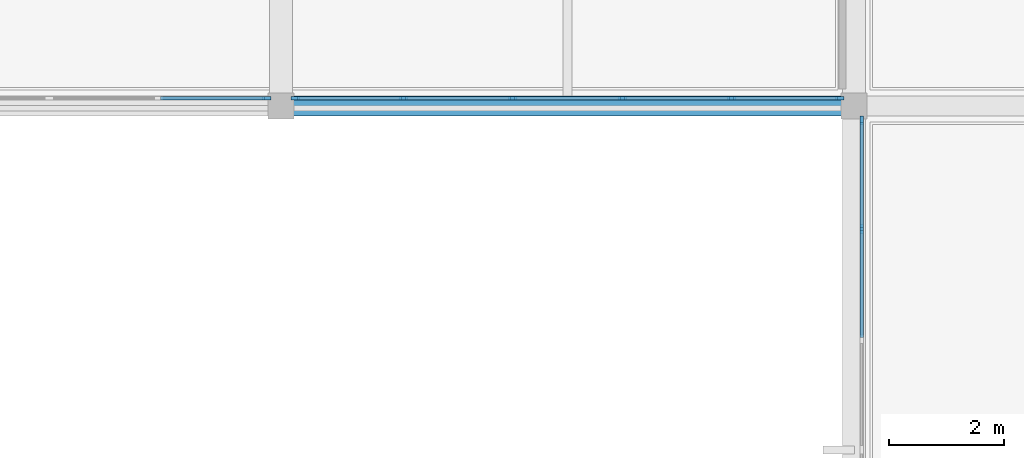
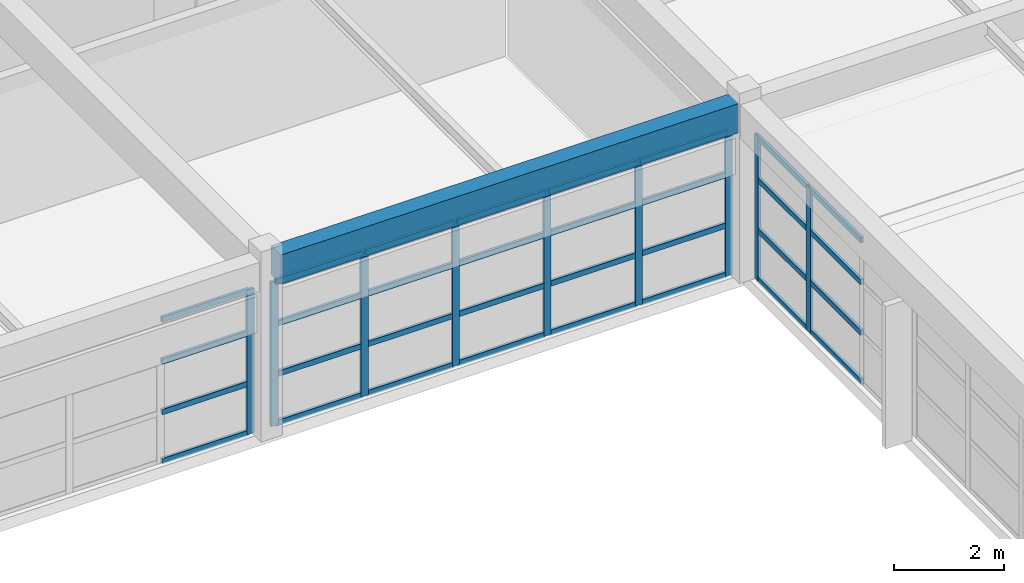
# One storey, part 7 of 21: 41 members, 1 beam, 3 elements without a shape of their own.
"""IFC4 building model written with IfcOpenShell, lengths in metres."""

from ifc_helpers import new_model, si_unit, direction, frame, origin, origin_2d, place, context, subcontext, project, spatial, rectangle, extrude, material, layer, layer_set, material_profile, profile_set, type_object, element, aggregate, save


model = new_model("IFC4")

# Units and contexts
model_context = context("Model", 3, precision=1e-05, world=origin(), true_north=direction((0.0, 1.0)))
body_context = subcontext(model_context, "Body", "Model", "MODEL_VIEW")
ifc_project = project(units=[si_unit("LENGTHUNIT", "METRE"), si_unit("AREAUNIT", "SQUARE_METRE"), si_unit("VOLUMEUNIT", "CUBIC_METRE"), si_unit("PLANEANGLEUNIT", "RADIAN"), si_unit("MASSUNIT", "GRAM", prefix="KILO")], contexts=[model_context])

# Site, building, storey
site_placement = place(None, origin())
site = spatial("IfcSite", under=ifc_project, at=site_placement, CompositionType="ELEMENT")
building_placement = place(site_placement, origin())
building = spatial("IfcBuilding", under=site, at=building_placement, Name="Kivolera Central Railway Station", CompositionType="ELEMENT")
storey_placement = place(building_placement, frame((0.0, 0.0, 22.800048828125)))
storey = spatial("IfcBuildingStorey", under=building, at=storey_placement, Name="L05", CompositionType="ELEMENT", Elevation=22.800048828125)

# Beam
ifc_material_1 = material(Name="Concrete C40/50", Category="concrete")
ifc_material_profile_1 = material_profile(ifc_material_1, rectangle(XDim=0.35009765625, YDim=0.64990234375, at=origin_2d()), Name="RC 350x650")
ifc_profile_set_1 = profile_set([ifc_material_profile_1], Name="Concrete C40/50")
beam_type = type_object("IfcBeamType", Name="BM-RC-350x650", PredefinedType="BEAM", material=ifc_profile_set_1)
beam_placement = place(storey_placement, frame((168.217041015625, 114.0, 3.625), z_axis=(1.0, 0.0, 0.0), x_axis=(0.0, 1.0, 0.0)))
element("IfcBeam", 1, at=beam_placement, inside=storey, type_object=beam_type, Name="L05 Wing X-Beam K:17-18", PredefinedType="BEAM", context=body_context, shape_type="SweptSolid", body=[
    extrude(rectangle(XDim=0.35009765625, YDim=0.64990234375, at=origin_2d()), origin(), (0.0, 0.0, 1.0), 9.56591796875),
])

# Curtain wall, member
ifc_material_2 = material(Name="Anodised aluminium", Category="aluminium")
ifc_layer_1 = layer(ifc_material_2, 0.179931640625, Name="Anodised aluminium")
ifc_layer_set_1 = layer_set([ifc_layer_1], Name="Anodised aluminium")
curtain_wall_type_1 = type_object("IfcCurtainWallType", Name="CW-SYS-34", PredefinedType="NOTDEFINED", material=ifc_layer_set_1)
curtain_wall_1_placement = place(storey_placement, origin())
curtain_wall_1 = element("IfcCurtainWall", 2, at=curtain_wall_1_placement, inside=storey, type_object=curtain_wall_type_1, Name="L05 Curtain Wall CW-L05-CRTN-158", PredefinedType="NOTDEFINED")
ifc_material_profile_2 = material_profile(ifc_material_2, rectangle(XDim=0.06005859375, YDim=0.14990234375, at=origin_2d()), Name="ALU MULL 60x150")
ifc_profile_set_2 = profile_set([ifc_material_profile_2], Name="Anodised aluminium")
member_type_1 = type_object("IfcMemberType", Name="CWM-MUL-2", PredefinedType="MULLION", material=ifc_profile_set_2)
member_1_placement = place(storey_placement, frame((167.75, 114.135009765625, -0.005126953125), z_axis=(0.0, 0.0, 1.0), x_axis=(0.0, -1.0, 0.0)))
member_1 = element("IfcMember", 3, at=member_1_placement, type_object=member_type_1, Name="CW-34 mullion 1", PredefinedType="MULLION", context=body_context, shape_type="SweptSolid", body=[
    extrude(rectangle(XDim=0.06005859375, YDim=0.14990234375, at=origin_2d()), origin(), (0.0, 0.0, 1.0), 3.193115234375),
])

# Curtain wall, members
curtain_wall_2_placement = place(storey_placement, origin())
curtain_wall_2 = element("IfcCurtainWall", 4, at=curtain_wall_2_placement, inside=storey, type_object=curtain_wall_type_1, Name="L05 Curtain Wall CW-L05-CRTN-168", PredefinedType="NOTDEFINED")
member_2_placement = place(storey_placement, frame((177.75, 114.135009765625, -0.005126953125), z_axis=(0.0, 0.0, 1.0), x_axis=(0.0, -1.0, 0.0)))
member_2 = element("IfcMember", 5, at=member_2_placement, type_object=member_type_1, Name="CW-34 mullion 1", PredefinedType="MULLION", context=body_context, shape_type="SweptSolid", body=[
    extrude(rectangle(XDim=0.06005859375, YDim=0.14990234375, at=origin_2d()), origin(), (0.0, 0.0, 1.0), 3.193115234375),
])
member_3_placement = place(storey_placement, frame((175.867919921875, 114.135009765625, -0.005126953125), z_axis=(0.0, 0.0, 1.0), x_axis=(0.0, -1.0, 0.0)))
member_3 = element("IfcMember", 6, at=member_3_placement, type_object=member_type_1, Name="CW-34 mullion 2", PredefinedType="MULLION", context=body_context, shape_type="SweptSolid", body=[
    extrude(rectangle(XDim=0.06005859375, YDim=0.14990234375, at=origin_2d()), origin(), (0.0, 0.0, 1.0), 3.193115234375),
])
member_4_placement = place(storey_placement, frame((173.9560546875, 114.135009765625, -0.005126953125), z_axis=(0.0, 0.0, 1.0), x_axis=(0.0, -1.0, 0.0)))
member_4 = element("IfcMember", 7, at=member_4_placement, type_object=member_type_1, Name="CW-34 mullion 3", PredefinedType="MULLION", context=body_context, shape_type="SweptSolid", body=[
    extrude(rectangle(XDim=0.06005859375, YDim=0.14990234375, at=origin_2d()), origin(), (0.0, 0.0, 1.0), 3.193115234375),
])
member_5_placement = place(storey_placement, frame((172.0439453125, 114.135009765625, -0.005126953125), z_axis=(0.0, 0.0, 1.0), x_axis=(0.0, -1.0, 0.0)))
member_5 = element("IfcMember", 8, at=member_5_placement, type_object=member_type_1, Name="CW-34 mullion 4", PredefinedType="MULLION", context=body_context, shape_type="SweptSolid", body=[
    extrude(rectangle(XDim=0.06005859375, YDim=0.14990234375, at=origin_2d()), origin(), (0.0, 0.0, 1.0), 3.193115234375),
])
member_6_placement = place(storey_placement, frame((170.132080078125, 114.135009765625, -0.005126953125), z_axis=(0.0, 0.0, 1.0), x_axis=(0.0, -1.0, 0.0)))
member_6 = element("IfcMember", 9, at=member_6_placement, type_object=member_type_1, Name="CW-34 mullion 5", PredefinedType="MULLION", context=body_context, shape_type="SweptSolid", body=[
    extrude(rectangle(XDim=0.06005859375, YDim=0.14990234375, at=origin_2d()), origin(), (0.0, 0.0, 1.0), 3.193115234375),
])
member_7_placement = place(storey_placement, frame((168.25, 114.135009765625, -0.005126953125), z_axis=(0.0, 0.0, 1.0), x_axis=(0.0, -1.0, 0.0)))
member_7 = element("IfcMember", 10, at=member_7_placement, type_object=member_type_1, Name="CW-34 mullion 6", PredefinedType="MULLION", context=body_context, shape_type="SweptSolid", body=[
    extrude(rectangle(XDim=0.06005859375, YDim=0.14990234375, at=origin_2d()), origin(), (0.0, 0.0, 1.0), 3.193115234375),
])

ifc_layer_2 = layer(ifc_material_2, 0.179931640625, Name="Anodised aluminium")
ifc_layer_set_2 = layer_set([ifc_layer_2], Name="Anodised aluminium")
curtain_wall_type_2 = type_object("IfcCurtainWallType", Name="CW-SYS-35", PredefinedType="NOTDEFINED", material=ifc_layer_set_2)
curtain_wall_3_placement = place(storey_placement, origin())
curtain_wall_3 = element("IfcCurtainWall", 11, at=curtain_wall_3_placement, inside=storey, type_object=curtain_wall_type_2, Name="L05 Curtain Wall CW-L05-CRTE-J", PredefinedType="NOTDEFINED")
member_8_placement = place(storey_placement, frame((178.135009765625, 111.853271484375, -0.005126953125), z_axis=(0.0, 0.0, 1.0), x_axis=(-1.0, 0.0, 0.0)))
member_8 = element("IfcMember", 12, at=member_8_placement, type_object=member_type_1, Name="CW-35 mullion 6", PredefinedType="MULLION", context=body_context, shape_type="SweptSolid", body=[
    extrude(rectangle(XDim=0.06005859375, YDim=0.14990234375, at=origin_2d()), origin(), (0.0, 0.0, 1.0), 3.193115234375),
])
member_9_placement = place(storey_placement, frame((178.135009765625, 113.75, -0.005126953125), z_axis=(0.0, 0.0, 1.0), x_axis=(-1.0, 0.0, 0.0)))
member_9 = element("IfcMember", 13, at=member_9_placement, type_object=member_type_1, Name="CW-35 mullion 7", PredefinedType="MULLION", context=body_context, shape_type="SweptSolid", body=[
    extrude(rectangle(XDim=0.06005859375, YDim=0.14990234375, at=origin_2d()), origin(), (0.0, 0.0, 1.0), 3.193115234375),
])

# Member
ifc_material_profile_3 = material_profile(ifc_material_2, rectangle(XDim=0.06005859375, YDim=0.1201171875, at=origin_2d()), Name="ALU TRAN 60x120")
ifc_profile_set_3 = profile_set([ifc_material_profile_3], Name="Anodised aluminium")
member_type_2 = type_object("IfcMemberType", Name="CWM-TRN-2", PredefinedType="USERDEFINED", material=ifc_profile_set_3)
member_10_placement = place(storey_placement, frame((167.719970703125, 114.135009765625, 0.030029296875), z_axis=(-1.0, 0.0, 0.0), x_axis=(0.0, -1.0, 0.0)))
member_10 = element("IfcMember", 14, at=member_10_placement, type_object=member_type_2, Name="CW-34 transom 1.1", ObjectType="TRANSOM", PredefinedType="USERDEFINED", context=body_context, shape_type="SweptSolid", body=[
    extrude(rectangle(XDim=0.06005859375, YDim=0.1201171875, at=origin_2d()), origin(), (0.0, 0.0, 1.0), 1.822021484375),
])

member_11_placement = place(storey_placement, frame((167.719970703125, 114.135009765625, 1.11572265625), z_axis=(-1.0, 0.0, 0.0), x_axis=(0.0, -1.0, 0.0)))
member_11 = element("IfcMember", 15, at=member_11_placement, type_object=member_type_2, Name="CW-34 transom 1.2", ObjectType="TRANSOM", PredefinedType="USERDEFINED", context=body_context, shape_type="SweptSolid", body=[
    extrude(rectangle(XDim=0.06005859375, YDim=0.1201171875, at=origin_2d()), origin(), (0.0, 0.0, 1.0), 1.822021484375),
])

member_12_placement = place(storey_placement, frame((167.719970703125, 114.135009765625, 2.2314453125), z_axis=(-1.0, 0.0, 0.0), x_axis=(0.0, -1.0, 0.0)))
member_12 = element("IfcMember", 16, at=member_12_placement, type_object=member_type_2, Name="CW-34 transom 1.3", ObjectType="TRANSOM", PredefinedType="USERDEFINED", context=body_context, shape_type="SweptSolid", body=[
    extrude(rectangle(XDim=0.06005859375, YDim=0.1201171875, at=origin_2d()), origin(), (0.0, 0.0, 1.0), 1.822021484375),
])

member_13_placement = place(storey_placement, frame((167.719970703125, 114.135009765625, 3.157958984375), z_axis=(-1.0, 0.0, 0.0), x_axis=(0.0, -1.0, 0.0)))
member_13 = element("IfcMember", 17, at=member_13_placement, type_object=member_type_2, Name="CW-34 transom 1.4", ObjectType="TRANSOM", PredefinedType="USERDEFINED", context=body_context, shape_type="SweptSolid", body=[
    extrude(rectangle(XDim=0.06005859375, YDim=0.1201171875, at=origin_2d()), origin(), (0.0, 0.0, 1.0), 1.822021484375),
])

aggregate(curtain_wall_1, [member_1, member_10, member_11, member_12, member_13])

member_14_placement = place(storey_placement, frame((177.719970703125, 114.135009765625, 0.030029296875), z_axis=(-1.0, 0.0, 0.0), x_axis=(0.0, -1.0, 0.0)))
member_14 = element("IfcMember", 18, at=member_14_placement, type_object=member_type_2, Name="CW-34 transom 1.1", ObjectType="TRANSOM", PredefinedType="USERDEFINED", context=body_context, shape_type="SweptSolid", body=[
    extrude(rectangle(XDim=0.06005859375, YDim=0.1201171875, at=origin_2d()), origin(), (0.0, 0.0, 1.0), 1.822021484375),
])

member_15_placement = place(storey_placement, frame((177.719970703125, 114.135009765625, 1.11572265625), z_axis=(-1.0, 0.0, 0.0), x_axis=(0.0, -1.0, 0.0)))
member_15 = element("IfcMember", 19, at=member_15_placement, type_object=member_type_2, Name="CW-34 transom 1.2", ObjectType="TRANSOM", PredefinedType="USERDEFINED", context=body_context, shape_type="SweptSolid", body=[
    extrude(rectangle(XDim=0.06005859375, YDim=0.1201171875, at=origin_2d()), origin(), (0.0, 0.0, 1.0), 1.822021484375),
])

member_16_placement = place(storey_placement, frame((177.719970703125, 114.135009765625, 2.2314453125), z_axis=(-1.0, 0.0, 0.0), x_axis=(0.0, -1.0, 0.0)))
member_16 = element("IfcMember", 20, at=member_16_placement, type_object=member_type_2, Name="CW-34 transom 1.3", ObjectType="TRANSOM", PredefinedType="USERDEFINED", context=body_context, shape_type="SweptSolid", body=[
    extrude(rectangle(XDim=0.06005859375, YDim=0.1201171875, at=origin_2d()), origin(), (0.0, 0.0, 1.0), 1.822021484375),
])

member_17_placement = place(storey_placement, frame((177.719970703125, 114.135009765625, 3.157958984375), z_axis=(-1.0, 0.0, 0.0), x_axis=(0.0, -1.0, 0.0)))
member_17 = element("IfcMember", 21, at=member_17_placement, type_object=member_type_2, Name="CW-34 transom 1.4", ObjectType="TRANSOM", PredefinedType="USERDEFINED", context=body_context, shape_type="SweptSolid", body=[
    extrude(rectangle(XDim=0.06005859375, YDim=0.1201171875, at=origin_2d()), origin(), (0.0, 0.0, 1.0), 1.822021484375),
])

member_18_placement = place(storey_placement, frame((175.837890625, 114.135009765625, 0.030029296875), z_axis=(-1.0, 0.0, 0.0), x_axis=(0.0, -1.0, 0.0)))
member_18 = element("IfcMember", 22, at=member_18_placement, type_object=member_type_2, Name="CW-34 transom 2.1", ObjectType="TRANSOM", PredefinedType="USERDEFINED", context=body_context, shape_type="SweptSolid", body=[
    extrude(rectangle(XDim=0.06005859375, YDim=0.1201171875, at=origin_2d()), origin(), (0.0, 0.0, 1.0), 1.851806640625),
])

member_19_placement = place(storey_placement, frame((175.837890625, 114.135009765625, 1.11572265625), z_axis=(-1.0, 0.0, 0.0), x_axis=(0.0, -1.0, 0.0)))
member_19 = element("IfcMember", 23, at=member_19_placement, type_object=member_type_2, Name="CW-34 transom 2.2", ObjectType="TRANSOM", PredefinedType="USERDEFINED", context=body_context, shape_type="SweptSolid", body=[
    extrude(rectangle(XDim=0.06005859375, YDim=0.1201171875, at=origin_2d()), origin(), (0.0, 0.0, 1.0), 1.851806640625),
])

member_20_placement = place(storey_placement, frame((175.837890625, 114.135009765625, 2.2314453125), z_axis=(-1.0, 0.0, 0.0), x_axis=(0.0, -1.0, 0.0)))
member_20 = element("IfcMember", 24, at=member_20_placement, type_object=member_type_2, Name="CW-34 transom 2.3", ObjectType="TRANSOM", PredefinedType="USERDEFINED", context=body_context, shape_type="SweptSolid", body=[
    extrude(rectangle(XDim=0.06005859375, YDim=0.1201171875, at=origin_2d()), origin(), (0.0, 0.0, 1.0), 1.851806640625),
])

member_21_placement = place(storey_placement, frame((175.837890625, 114.135009765625, 3.157958984375), z_axis=(-1.0, 0.0, 0.0), x_axis=(0.0, -1.0, 0.0)))
member_21 = element("IfcMember", 25, at=member_21_placement, type_object=member_type_2, Name="CW-34 transom 2.4", ObjectType="TRANSOM", PredefinedType="USERDEFINED", context=body_context, shape_type="SweptSolid", body=[
    extrude(rectangle(XDim=0.06005859375, YDim=0.1201171875, at=origin_2d()), origin(), (0.0, 0.0, 1.0), 1.851806640625),
])

member_22_placement = place(storey_placement, frame((173.926025390625, 114.135009765625, 0.030029296875), z_axis=(-1.0, 0.0, 0.0), x_axis=(0.0, -1.0, 0.0)))
member_22 = element("IfcMember", 26, at=member_22_placement, type_object=member_type_2, Name="CW-34 transom 3.1", ObjectType="TRANSOM", PredefinedType="USERDEFINED", context=body_context, shape_type="SweptSolid", body=[
    extrude(rectangle(XDim=0.06005859375, YDim=0.1201171875, at=origin_2d()), origin(), (0.0, 0.0, 1.0), 1.85205078125),
])

member_23_placement = place(storey_placement, frame((173.926025390625, 114.135009765625, 1.11572265625), z_axis=(-1.0, 0.0, 0.0), x_axis=(0.0, -1.0, 0.0)))
member_23 = element("IfcMember", 27, at=member_23_placement, type_object=member_type_2, Name="CW-34 transom 3.2", ObjectType="TRANSOM", PredefinedType="USERDEFINED", context=body_context, shape_type="SweptSolid", body=[
    extrude(rectangle(XDim=0.06005859375, YDim=0.1201171875, at=origin_2d()), origin(), (0.0, 0.0, 1.0), 1.85205078125),
])

member_24_placement = place(storey_placement, frame((173.926025390625, 114.135009765625, 2.2314453125), z_axis=(-1.0, 0.0, 0.0), x_axis=(0.0, -1.0, 0.0)))
member_24 = element("IfcMember", 28, at=member_24_placement, type_object=member_type_2, Name="CW-34 transom 3.3", ObjectType="TRANSOM", PredefinedType="USERDEFINED", context=body_context, shape_type="SweptSolid", body=[
    extrude(rectangle(XDim=0.06005859375, YDim=0.1201171875, at=origin_2d()), origin(), (0.0, 0.0, 1.0), 1.85205078125),
])

member_25_placement = place(storey_placement, frame((173.926025390625, 114.135009765625, 3.157958984375), z_axis=(-1.0, 0.0, 0.0), x_axis=(0.0, -1.0, 0.0)))
member_25 = element("IfcMember", 29, at=member_25_placement, type_object=member_type_2, Name="CW-34 transom 3.4", ObjectType="TRANSOM", PredefinedType="USERDEFINED", context=body_context, shape_type="SweptSolid", body=[
    extrude(rectangle(XDim=0.06005859375, YDim=0.1201171875, at=origin_2d()), origin(), (0.0, 0.0, 1.0), 1.85205078125),
])

member_26_placement = place(storey_placement, frame((172.013916015625, 114.135009765625, 0.030029296875), z_axis=(-1.0, 0.0, 0.0), x_axis=(0.0, -1.0, 0.0)))
member_26 = element("IfcMember", 30, at=member_26_placement, type_object=member_type_2, Name="CW-34 transom 4.1", ObjectType="TRANSOM", PredefinedType="USERDEFINED", context=body_context, shape_type="SweptSolid", body=[
    extrude(rectangle(XDim=0.06005859375, YDim=0.1201171875, at=origin_2d()), origin(), (0.0, 0.0, 1.0), 1.851806640625),
])

member_27_placement = place(storey_placement, frame((172.013916015625, 114.135009765625, 1.11572265625), z_axis=(-1.0, 0.0, 0.0), x_axis=(0.0, -1.0, 0.0)))
member_27 = element("IfcMember", 31, at=member_27_placement, type_object=member_type_2, Name="CW-34 transom 4.2", ObjectType="TRANSOM", PredefinedType="USERDEFINED", context=body_context, shape_type="SweptSolid", body=[
    extrude(rectangle(XDim=0.06005859375, YDim=0.1201171875, at=origin_2d()), origin(), (0.0, 0.0, 1.0), 1.851806640625),
])

member_28_placement = place(storey_placement, frame((172.013916015625, 114.135009765625, 2.2314453125), z_axis=(-1.0, 0.0, 0.0), x_axis=(0.0, -1.0, 0.0)))
member_28 = element("IfcMember", 32, at=member_28_placement, type_object=member_type_2, Name="CW-34 transom 4.3", ObjectType="TRANSOM", PredefinedType="USERDEFINED", context=body_context, shape_type="SweptSolid", body=[
    extrude(rectangle(XDim=0.06005859375, YDim=0.1201171875, at=origin_2d()), origin(), (0.0, 0.0, 1.0), 1.851806640625),
])

member_29_placement = place(storey_placement, frame((172.013916015625, 114.135009765625, 3.157958984375), z_axis=(-1.0, 0.0, 0.0), x_axis=(0.0, -1.0, 0.0)))
member_29 = element("IfcMember", 33, at=member_29_placement, type_object=member_type_2, Name="CW-34 transom 4.4", ObjectType="TRANSOM", PredefinedType="USERDEFINED", context=body_context, shape_type="SweptSolid", body=[
    extrude(rectangle(XDim=0.06005859375, YDim=0.1201171875, at=origin_2d()), origin(), (0.0, 0.0, 1.0), 1.851806640625),
])

member_30_placement = place(storey_placement, frame((170.10205078125, 114.135009765625, 0.030029296875), z_axis=(-1.0, 0.0, 0.0), x_axis=(0.0, -1.0, 0.0)))
member_30 = element("IfcMember", 34, at=member_30_placement, type_object=member_type_2, Name="CW-34 transom 5.1", ObjectType="TRANSOM", PredefinedType="USERDEFINED", context=body_context, shape_type="SweptSolid", body=[
    extrude(rectangle(XDim=0.06005859375, YDim=0.1201171875, at=origin_2d()), origin(), (0.0, 0.0, 1.0), 1.822021484375),
])

member_31_placement = place(storey_placement, frame((170.10205078125, 114.135009765625, 1.11572265625), z_axis=(-1.0, 0.0, 0.0), x_axis=(0.0, -1.0, 0.0)))
member_31 = element("IfcMember", 35, at=member_31_placement, type_object=member_type_2, Name="CW-34 transom 5.2", ObjectType="TRANSOM", PredefinedType="USERDEFINED", context=body_context, shape_type="SweptSolid", body=[
    extrude(rectangle(XDim=0.06005859375, YDim=0.1201171875, at=origin_2d()), origin(), (0.0, 0.0, 1.0), 1.822021484375),
])

member_32_placement = place(storey_placement, frame((170.10205078125, 114.135009765625, 2.2314453125), z_axis=(-1.0, 0.0, 0.0), x_axis=(0.0, -1.0, 0.0)))
member_32 = element("IfcMember", 36, at=member_32_placement, type_object=member_type_2, Name="CW-34 transom 5.3", ObjectType="TRANSOM", PredefinedType="USERDEFINED", context=body_context, shape_type="SweptSolid", body=[
    extrude(rectangle(XDim=0.06005859375, YDim=0.1201171875, at=origin_2d()), origin(), (0.0, 0.0, 1.0), 1.822021484375),
])

member_33_placement = place(storey_placement, frame((170.10205078125, 114.135009765625, 3.157958984375), z_axis=(-1.0, 0.0, 0.0), x_axis=(0.0, -1.0, 0.0)))
member_33 = element("IfcMember", 37, at=member_33_placement, type_object=member_type_2, Name="CW-34 transom 5.4", ObjectType="TRANSOM", PredefinedType="USERDEFINED", context=body_context, shape_type="SweptSolid", body=[
    extrude(rectangle(XDim=0.06005859375, YDim=0.1201171875, at=origin_2d()), origin(), (0.0, 0.0, 1.0), 1.822021484375),
])

aggregate(curtain_wall_2, [member_2, member_3, member_4, member_5, member_6, member_7, member_14, member_15, member_16, member_17, member_18, member_19, member_20, member_21, member_22, member_23, member_24, member_25, member_26, member_27, member_28, member_29, member_30, member_31, member_32, member_33])

member_34_placement = place(storey_placement, frame((178.135009765625, 109.956787109375, 0.030029296875), z_axis=(0.0, 1.0, 0.0), x_axis=(-1.0, 0.0, 0.0)))
member_34 = element("IfcMember", 38, at=member_34_placement, type_object=member_type_2, Name="CW-35 transom 5.1", ObjectType="TRANSOM", PredefinedType="USERDEFINED", context=body_context, shape_type="SweptSolid", body=[
    extrude(rectangle(XDim=0.06005859375, YDim=0.1201171875, at=origin_2d()), origin(), (0.0, 0.0, 1.0), 1.866455078125),
])

member_35_placement = place(storey_placement, frame((178.135009765625, 109.956787109375, 1.11572265625), z_axis=(0.0, 1.0, 0.0), x_axis=(-1.0, 0.0, 0.0)))
member_35 = element("IfcMember", 39, at=member_35_placement, type_object=member_type_2, Name="CW-35 transom 5.2", ObjectType="TRANSOM", PredefinedType="USERDEFINED", context=body_context, shape_type="SweptSolid", body=[
    extrude(rectangle(XDim=0.06005859375, YDim=0.1201171875, at=origin_2d()), origin(), (0.0, 0.0, 1.0), 1.866455078125),
])

member_36_placement = place(storey_placement, frame((178.135009765625, 109.956787109375, 2.2314453125), z_axis=(0.0, 1.0, 0.0), x_axis=(-1.0, 0.0, 0.0)))
member_36 = element("IfcMember", 40, at=member_36_placement, type_object=member_type_2, Name="CW-35 transom 5.3", ObjectType="TRANSOM", PredefinedType="USERDEFINED", context=body_context, shape_type="SweptSolid", body=[
    extrude(rectangle(XDim=0.06005859375, YDim=0.1201171875, at=origin_2d()), origin(), (0.0, 0.0, 1.0), 1.866455078125),
])

member_37_placement = place(storey_placement, frame((178.135009765625, 109.956787109375, 3.157958984375), z_axis=(0.0, 1.0, 0.0), x_axis=(-1.0, 0.0, 0.0)))
member_37 = element("IfcMember", 41, at=member_37_placement, type_object=member_type_2, Name="CW-35 transom 5.4", ObjectType="TRANSOM", PredefinedType="USERDEFINED", context=body_context, shape_type="SweptSolid", body=[
    extrude(rectangle(XDim=0.06005859375, YDim=0.1201171875, at=origin_2d()), origin(), (0.0, 0.0, 1.0), 1.866455078125),
])

member_38_placement = place(storey_placement, frame((178.135009765625, 111.88330078125, 0.030029296875), z_axis=(0.0, 1.0, 0.0), x_axis=(-1.0, 0.0, 0.0)))
member_38 = element("IfcMember", 42, at=member_38_placement, type_object=member_type_2, Name="CW-35 transom 6.1", ObjectType="TRANSOM", PredefinedType="USERDEFINED", context=body_context, shape_type="SweptSolid", body=[
    extrude(rectangle(XDim=0.06005859375, YDim=0.1201171875, at=origin_2d()), origin(), (0.0, 0.0, 1.0), 1.836669921875),
])

member_39_placement = place(storey_placement, frame((178.135009765625, 111.88330078125, 1.11572265625), z_axis=(0.0, 1.0, 0.0), x_axis=(-1.0, 0.0, 0.0)))
member_39 = element("IfcMember", 43, at=member_39_placement, type_object=member_type_2, Name="CW-35 transom 6.2", ObjectType="TRANSOM", PredefinedType="USERDEFINED", context=body_context, shape_type="SweptSolid", body=[
    extrude(rectangle(XDim=0.06005859375, YDim=0.1201171875, at=origin_2d()), origin(), (0.0, 0.0, 1.0), 1.836669921875),
])

member_40_placement = place(storey_placement, frame((178.135009765625, 111.88330078125, 2.2314453125), z_axis=(0.0, 1.0, 0.0), x_axis=(-1.0, 0.0, 0.0)))
member_40 = element("IfcMember", 44, at=member_40_placement, type_object=member_type_2, Name="CW-35 transom 6.3", ObjectType="TRANSOM", PredefinedType="USERDEFINED", context=body_context, shape_type="SweptSolid", body=[
    extrude(rectangle(XDim=0.06005859375, YDim=0.1201171875, at=origin_2d()), origin(), (0.0, 0.0, 1.0), 1.836669921875),
])

member_41_placement = place(storey_placement, frame((178.135009765625, 111.88330078125, 3.157958984375), z_axis=(0.0, 1.0, 0.0), x_axis=(-1.0, 0.0, 0.0)))
member_41 = element("IfcMember", 45, at=member_41_placement, type_object=member_type_2, Name="CW-35 transom 6.4", ObjectType="TRANSOM", PredefinedType="USERDEFINED", context=body_context, shape_type="SweptSolid", body=[
    extrude(rectangle(XDim=0.06005859375, YDim=0.1201171875, at=origin_2d()), origin(), (0.0, 0.0, 1.0), 1.836669921875),
])

aggregate(curtain_wall_3, [member_8, member_9, member_34, member_35, member_36, member_37, member_38, member_39, member_40, member_41])

save(model, "model.ifc")
